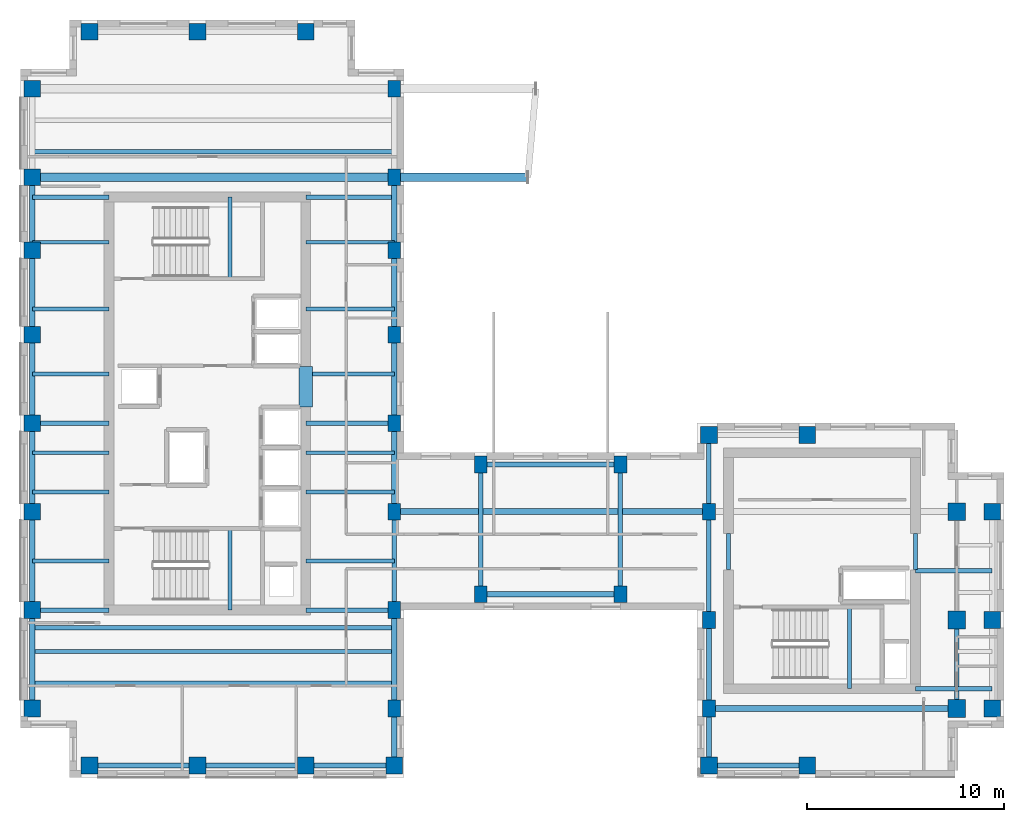
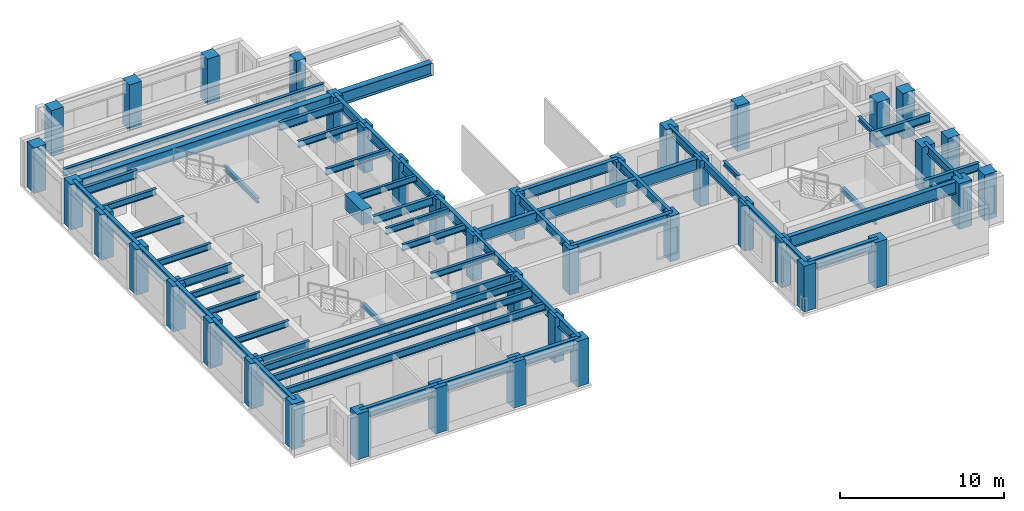
# One storey, part 1 of 11: 60 beams, 40 columns.
"""IFC4 building model written with IfcOpenShell, lengths in metres."""

from ifc_helpers import new_model, si_unit, direction, frame, origin, origin_2d, place, context, subcontext, project, spatial, rectangle, i_section, extrude, source, transform, mapped, material, material_profile, profile_set, type_object, element, save


model = new_model("IFC4")

# Units and contexts
model_context = context("Model", 3, precision=1e-05, world=origin(), true_north=direction((0.0, 1.0)))
body_context = subcontext(model_context, "Body", "Model", "MODEL_VIEW")
ifc_project = project(units=[si_unit("LENGTHUNIT", "METRE"), si_unit("AREAUNIT", "SQUARE_METRE"), si_unit("VOLUMEUNIT", "CUBIC_METRE"), si_unit("PLANEANGLEUNIT", "RADIAN"), si_unit("MASSUNIT", "GRAM", prefix="KILO")], contexts=[model_context])

# Site, building, storey
site_placement = place(None, origin())
site = spatial("IfcSite", under=ifc_project, at=site_placement, CompositionType="ELEMENT")
building_placement = place(site_placement, origin())
building = spatial("IfcBuilding", under=site, at=building_placement, Name="Kharzan Plaza Tower", CompositionType="ELEMENT")
storey_placement = place(building_placement, frame((0.0, 0.0, 234.0)))
storey = spatial("IfcBuildingStorey", under=building, at=storey_placement, Name="L63", CompositionType="ELEMENT", Elevation=234.0)

# Columns
ifc_material_1 = material(Name="Concrete C50/60", Category="concrete")
ifc_material_profile_1 = material_profile(ifc_material_1, rectangle(XDim=0.89990234375, YDim=0.89990234375, at=origin_2d()), Name="RC-IC900x900")
ifc_profile_set_1 = profile_set([ifc_material_profile_1], Name="Concrete C50/60")
column_type_1 = type_object("IfcColumnType", Name="COL-IC900", PredefinedType="COLUMN", material=ifc_profile_set_1)
shared_shape_1 = source(origin(), body_context, "Body", "SweptSolid", [
    extrude(rectangle(XDim=0.89990234375, YDim=0.89990234375, at=origin_2d()), origin(), (0.0, 0.0, 1.0), 3.39990234375),
])
for number, where, z_axis, x_axis, name in (
    (1, (47.60009765625, 13.5, 0.0), (0.0, 0.0, 1.0), (1.0, 0.0, 0.0), "L63 Structural Column TCBI-135"),
    (2, (47.60009765625, 3.5, 0.0), (0.0, 0.0, 1.0), (1.0, 0.0, 0.0), "L63 Structural Column TCBI-35"),
    (3, (47.60009765625, 8.0, 0.0), (0.0, 0.0, 1.0), (1.0, 0.0, 0.0), "L63 Structural Column TCBI-80"),
):
    element("IfcColumn", number, at=place(storey_placement, frame(where, z_axis=z_axis, x_axis=x_axis)), inside=storey, type_object=column_type_1, Name=name, PredefinedType="COLUMN", context=body_context, shape_type="MappedRepresentation", body=[
        mapped(shared_shape_1, transform((0.0, 0.0, 0.0), x_axis=(1.0, 0.0, 0.0), y_axis=(0.0, 1.0, 0.0), z_axis=(0.0, 0.0, 1.0))),
    ])
ifc_material_profile_2 = material_profile(ifc_material_1, rectangle(XDim=0.64990234375, YDim=0.85009765625, at=origin_2d()), Name="RC-SC850x650")
ifc_profile_set_2 = profile_set([ifc_material_profile_2], Name="Concrete C50/60")
column_type_2 = type_object("IfcColumnType", Name="COL-SC850", PredefinedType="COLUMN", material=ifc_profile_set_2)
shared_shape_2 = source(origin(), body_context, "Body", "SweptSolid", [
    extrude(rectangle(XDim=0.64990234375, YDim=0.85009765625, at=origin_2d()), origin(), (0.0, 0.0, 1.0), 3.39990234375),
])
for number, where, z_axis, x_axis, name in (
    (4, (19.0, 13.5, 0.0), (0.0, 0.0, 1.0), (1.0, 0.0, 0.0), "L63 Structural Column TCA-135"),
    (5, (19.0, 18.0, 0.0), (0.0, 0.0, 1.0), (1.0, 0.0, 0.0), "L63 Structural Column TCA-180"),
    (6, (19.0, 22.5, 0.0), (0.0, 0.0, 1.0), (1.0, 0.0, 0.0), "L63 Structural Column TCA-225"),
    (7, (19.0, 26.800048828125, 0.0), (0.0, 0.0, 1.0), (1.0, 0.0, 0.0), "L63 Structural Column TCA-268"),
    (8, (19.0, 30.5, 0.0), (0.0, 0.0, 1.0), (1.0, 0.0, 0.0), "L63 Structural Column TCA-305"),
    (9, (19.0, 3.5, 0.0), (0.0, 0.0, 1.0), (1.0, 0.0, 0.0), "L63 Structural Column TCA-35"),
    (10, (19.0, 35.0, 0.0), (0.0, 0.0, 1.0), (1.0, 0.0, 0.0), "L63 Structural Column TCA-350"),
    (11, (19.0, 8.5, 0.0), (0.0, 0.0, 1.0), (1.0, 0.0, 0.0), "L63 Structural Column TCA-85"),
    (12, (35.0, 13.5, 0.0), (0.0, 0.0, 1.0), (1.0, 0.0, 0.0), "L63 Structural Column TCBS-135"),
    (13, (35.0, 3.5, 0.0), (0.0, 0.0, 1.0), (1.0, 0.0, 0.0), "L63 Structural Column TCBS-35"),
    (14, (35.0, 8.0, 0.0), (0.0, 0.0, 1.0), (1.0, 0.0, 0.0), "L63 Structural Column TCBS-80"),
    (15, (23.39990234375, 15.89990234375, 0.0), (0.0, 0.0, 1.0), (1.0, 0.0, 0.0), "L63 Structural Column TCSP-234-159"),
    (16, (23.39990234375, 9.300048828125, 0.0), (0.0, 0.0, 1.0), (1.0, 0.0, 0.0), "L63 Structural Column TCSP-234-93"),
    (17, (30.5, 15.89990234375, 0.0), (0.0, 0.0, 1.0), (1.0, 0.0, 0.0), "L63 Structural Column TCSP-305-159"),
    (18, (30.5, 9.300048828125, 0.0), (0.0, 0.0, 1.0), (1.0, 0.0, 0.0), "L63 Structural Column TCSP-305-93"),
):
    element("IfcColumn", number, at=place(storey_placement, frame(where, z_axis=z_axis, x_axis=x_axis)), inside=storey, type_object=column_type_2, Name=name, PredefinedType="COLUMN", context=body_context, shape_type="MappedRepresentation", body=[
        mapped(shared_shape_2, transform((0.0, 0.0, 0.0), x_axis=(1.0, 0.0, 0.0), y_axis=(0.0, 1.0, 0.0), z_axis=(0.0, 0.0, 1.0))),
    ])
ifc_material_profile_3 = material_profile(ifc_material_1, rectangle(XDim=0.85009765625, YDim=0.85009765625, at=origin_2d()), Name="RC-TC850x850")
ifc_profile_set_3 = profile_set([ifc_material_profile_3], Name="Concrete C50/60")
column_type_3 = type_object("IfcColumnType", Name="COL-TC850", PredefinedType="COLUMN", material=ifc_profile_set_3)
shared_shape_3 = source(origin(), body_context, "Body", "SweptSolid", [
    extrude(rectangle(XDim=0.85009765625, YDim=0.85009765625, at=origin_2d()), origin(), (0.0, 0.0, 1.0), 3.39990234375),
])
for number, where, z_axis, x_axis, name in (
    (19, (35.0, 17.39990234375, 0.0), (0.0, 0.0, 1.0), (1.0, 0.0, 0.0), "L63 Structural Column TCBN-350-174"),
    (20, (40.0, 17.39990234375, 0.0), (0.0, 0.0, 1.0), (1.0, 0.0, 0.0), "L63 Structural Column TCBN-400-174"),
    (21, (49.39990234375, 13.5, 0.0), (0.0, 0.0, 1.0), (1.0, 0.0, 0.0), "L63 Structural Column TCE-494-135"),
    (22, (49.39990234375, 3.5, 0.0), (0.0, 0.0, 1.0), (1.0, 0.0, 0.0), "L63 Structural Column TCE-494-35"),
    (23, (49.39990234375, 8.0, 0.0), (0.0, 0.0, 1.0), (1.0, 0.0, 0.0), "L63 Structural Column TCE-494-80"),
    (24, (14.5, 37.89990234375, 0.0), (0.0, 0.0, 1.0), (1.0, 0.0, 0.0), "L63 Structural Column TCN-145-379"),
    (25, (3.5, 37.89990234375, 0.0), (0.0, 0.0, 1.0), (1.0, 0.0, 0.0), "L63 Structural Column TCN-35-379"),
    (26, (9.0, 37.89990234375, 0.0), (0.0, 0.0, 1.0), (1.0, 0.0, 0.0), "L63 Structural Column TCN-90-379"),
    (27, (14.5, 0.60009765625, 0.0), (0.0, 0.0, 1.0), (1.0, 0.0, 0.0), "L63 Structural Column TCS-145"),
    (28, (19.0, 0.60009765625, 0.0), (0.0, 0.0, 1.0), (1.0, 0.0, 0.0), "L63 Structural Column TCS-190"),
    (29, (3.5, 0.60009765625, 0.0), (0.0, 0.0, 1.0), (1.0, 0.0, 0.0), "L63 Structural Column TCS-35"),
    (30, (35.0, 0.60009765625, 0.0), (0.0, 0.0, 1.0), (1.0, 0.0, 0.0), "L63 Structural Column TCS-350"),
    (31, (40.0, 0.60009765625, 0.0), (0.0, 0.0, 1.0), (1.0, 0.0, 0.0), "L63 Structural Column TCS-400"),
    (32, (9.0, 0.60009765625, 0.0), (0.0, 0.0, 1.0), (1.0, 0.0, 0.0), "L63 Structural Column TCS-90"),
    (33, (0.60009765625, 13.5, 0.0), (0.0, 0.0, 1.0), (1.0, 0.0, 0.0), "L63 Structural Column TCW-135"),
    (34, (0.60009765625, 18.0, 0.0), (0.0, 0.0, 1.0), (1.0, 0.0, 0.0), "L63 Structural Column TCW-180"),
    (35, (0.60009765625, 22.5, 0.0), (0.0, 0.0, 1.0), (1.0, 0.0, 0.0), "L63 Structural Column TCW-225"),
    (36, (0.60009765625, 26.800048828125, 0.0), (0.0, 0.0, 1.0), (1.0, 0.0, 0.0), "L63 Structural Column TCW-268"),
    (37, (0.60009765625, 30.5, 0.0), (0.0, 0.0, 1.0), (1.0, 0.0, 0.0), "L63 Structural Column TCW-305"),
    (38, (0.60009765625, 3.5, 0.0), (0.0, 0.0, 1.0), (1.0, 0.0, 0.0), "L63 Structural Column TCW-35"),
    (39, (0.60009765625, 35.0, 0.0), (0.0, 0.0, 1.0), (1.0, 0.0, 0.0), "L63 Structural Column TCW-350"),
    (40, (0.60009765625, 8.5, 0.0), (0.0, 0.0, 1.0), (1.0, 0.0, 0.0), "L63 Structural Column TCW-85"),
):
    element("IfcColumn", number, at=place(storey_placement, frame(where, z_axis=z_axis, x_axis=x_axis)), inside=storey, type_object=column_type_3, Name=name, PredefinedType="COLUMN", context=body_context, shape_type="MappedRepresentation", body=[
        mapped(shared_shape_3, transform((0.0, 0.0, 0.0), x_axis=(1.0, 0.0, 0.0), y_axis=(0.0, 1.0, 0.0), z_axis=(0.0, 0.0, 1.0))),
    ])

# Beams
ifc_material_2 = material(Name="Concrete C60/75", Category="concrete")
ifc_material_profile_4 = material_profile(ifc_material_2, rectangle(XDim=0.699951171875, YDim=1.10009765625, at=origin_2d()), Name="RC-CB1100x700")
ifc_profile_set_4 = profile_set([ifc_material_profile_4], Name="Concrete C60/75")
beam_type_1 = type_object("IfcBeamType", Name="BM-RCCB1100", PredefinedType="LINTEL", material=ifc_profile_set_4)
shared_shape_4 = source(origin(), body_context, "Body", "SweptSolid", [
    extrude(rectangle(XDim=0.699951171875, YDim=1.10009765625, at=origin_2d()), origin(), (0.0, 0.0, 1.0), 2.059814453125),
])
beam_1_placement = place(storey_placement, frame((14.5, 18.820068359375, 2.85009765625), z_axis=(0.0, 1.0, 0.0), x_axis=(-1.0, 0.0, 0.0)))
element("IfcBeam", 41, at=beam_1_placement, inside=storey, type_object=beam_type_1, Name="L63 CORE-A RC coupling beam CB1", PredefinedType="LINTEL", context=body_context, shape_type="MappedRepresentation", body=[
    mapped(shared_shape_4, transform((0.0, 0.0, 0.0), x_axis=(1.0, 0.0, 0.0), y_axis=(0.0, 1.0, 0.0), z_axis=(0.0, 0.0, 1.0))),
])
ifc_material_3 = material(Name="Steel S355", Category="steel")
ifc_material_profile_5 = material_profile(ifc_material_3, i_section(OverallWidth=0.205078125, OverallDepth=0.35400390625, WebThickness=0.009521484375, FlangeThickness=0.016845703125, at=origin_2d()), Name="W360x79")
ifc_profile_set_5 = profile_set([ifc_material_profile_5], Name="Steel S355")
beam_type_2 = type_object("IfcBeamType", Name="BM-LNT360", PredefinedType="LINTEL", material=ifc_profile_set_5)
shared_shape_5 = source(origin(), body_context, "Body", "SweptSolid", [
    extrude(i_section(OverallWidth=0.205078125, OverallDepth=0.35400390625, WebThickness=0.009521484375, FlangeThickness=0.016845703125, at=origin_2d()), origin(), (0.0, 0.0, 1.0), 1.849853515625),
])
for number, where, z_axis, x_axis, name in (
    (42, (45.5, 10.550048828125, 3.222900390625), (0.0, 1.0, 0.0), (-1.0, 0.0, 0.0), "L63 CORE-B coupling lintel LN1-WE"),
    (43, (36.0, 10.550048828125, 3.222900390625), (0.0, 1.0, 0.0), (-1.0, 0.0, 0.0), "L63 CORE-B coupling lintel LN1-WW"),
):
    element("IfcBeam", number, at=place(storey_placement, frame(where, z_axis=z_axis, x_axis=x_axis)), inside=storey, type_object=beam_type_2, Name=name, PredefinedType="LINTEL", context=body_context, shape_type="MappedRepresentation", body=[
        mapped(shared_shape_5, transform((0.0, 0.0, 0.0), x_axis=(1.0, 0.0, 0.0), y_axis=(0.0, 1.0, 0.0), z_axis=(0.0, 0.0, 1.0))),
    ])
shared_shape_6 = source(origin(), body_context, "Body", "SweptSolid", [
    extrude(i_section(OverallWidth=0.205078125, OverallDepth=0.35400390625, WebThickness=0.009521484375, FlangeThickness=0.016845703125, at=origin_2d()), origin(), (0.0, 0.0, 1.0), 4.155029296875),
])
for number, where, z_axis, x_axis, name in (
    (44, (10.64990234375, 8.5, 1.423095703125), (0.0, 1.0, 0.0), (-1.0, 0.0, 0.0), "L63 Stair ST-1 Half-Landing Beam"),
    (45, (10.64990234375, 25.344970703125, 1.423095703125), (0.0, 1.0, 0.0), (-1.0, 0.0, 0.0), "L63 Stair ST-2 Half-Landing Beam"),
    (46, (42.14990234375, 4.5, 1.423095703125), (0.0, 1.0, 0.0), (-1.0, 0.0, 0.0), "L63 Stair ST-3 Half-Landing Beam"),
):
    element("IfcBeam", number, at=place(storey_placement, frame(where, z_axis=z_axis, x_axis=x_axis)), inside=storey, type_object=beam_type_2, Name=name, PredefinedType="LINTEL", context=body_context, shape_type="MappedRepresentation", body=[
        mapped(shared_shape_6, transform((0.0, 0.0, 0.0), x_axis=(1.0, 0.0, 0.0), y_axis=(0.0, 1.0, 0.0), z_axis=(0.0, 0.0, 1.0))),
    ])
ifc_material_profile_6 = material_profile(ifc_material_3, i_section(OverallWidth=0.304931640625, OverallDepth=0.9189453125, WebThickness=0.017333984375, FlangeThickness=0.02783203125, at=origin_2d()), Name="W920x253")
ifc_profile_set_6 = profile_set([ifc_material_profile_6], Name="Steel S355")
beam_type_3 = type_object("IfcBeamType", Name="BM-FG920B", PredefinedType="BEAM", material=ifc_profile_set_6)
shared_shape_7 = source(origin(), body_context, "Body", "SweptSolid", [
    extrude(i_section(OverallWidth=0.304931640625, OverallDepth=0.9189453125, WebThickness=0.017333984375, FlangeThickness=0.02783203125, at=origin_2d()), origin(), (0.0, 0.0, 1.0), 12.60009765625),
])
beam_2_placement = place(storey_placement, frame((35.0, 3.5, 2.9404296875), z_axis=(1.0, 0.0, 0.0), x_axis=(0.0, 1.0, 0.0)))
element("IfcBeam", 47, at=beam_2_placement, inside=storey, type_object=beam_type_3, Name="L63 Primary Floor Girder", PredefinedType="BEAM", context=body_context, shape_type="MappedRepresentation", body=[
    mapped(shared_shape_7, transform((0.0, 0.0, 0.0), x_axis=(1.0, 0.0, 0.0), y_axis=(0.0, 1.0, 0.0), z_axis=(0.0, 0.0, 1.0))),
])
shared_shape_8 = source(origin(), body_context, "Body", "SweptSolid", [
    extrude(i_section(OverallWidth=0.304931640625, OverallDepth=0.9189453125, WebThickness=0.017333984375, FlangeThickness=0.02783203125, at=origin_2d()), origin(), (0.0, 0.0, 1.0), 16.0),
])
beam_3_placement = place(storey_placement, frame((19.0, 13.5, 2.9404296875), z_axis=(1.0, 0.0, 0.0), x_axis=(0.0, 1.0, 0.0)))
element("IfcBeam", 48, at=beam_3_placement, inside=storey, type_object=beam_type_3, Name="L63 Primary Floor Girder", PredefinedType="BEAM", context=body_context, shape_type="MappedRepresentation", body=[
    mapped(shared_shape_8, transform((0.0, 0.0, 0.0), x_axis=(1.0, 0.0, 0.0), y_axis=(0.0, 1.0, 0.0), z_axis=(0.0, 0.0, 1.0))),
])
ifc_material_profile_7 = material_profile(ifc_material_3, i_section(OverallWidth=0.2099609375, OverallDepth=0.537109375, WebThickness=0.010986328125, FlangeThickness=0.017333984375, at=origin_2d()), Name="W530x101")
ifc_profile_set_7 = profile_set([ifc_material_profile_7], Name="Steel S355")
beam_type_4 = type_object("IfcBeamType", Name="BM-JST530B", PredefinedType="JOIST", material=ifc_profile_set_7)
shared_shape_9 = source(origin(), body_context, "Body", "SweptSolid", [
    extrude(i_section(OverallWidth=0.2099609375, OverallDepth=0.537109375, WebThickness=0.010986328125, FlangeThickness=0.017333984375, at=origin_2d()), origin(), (0.0, 0.0, 1.0), 18.39990234375),
])
for number, where, z_axis, x_axis, name in (
    (49, (0.60009765625, 4.800048828125, 3.131591796875), (1.0, 0.0, 0.0), (0.0, 1.0, 0.0), "L63 Wing A Composite Joist 01"),
    (50, (0.60009765625, 6.39990234375, 3.131591796875), (1.0, 0.0, 0.0), (0.0, 1.0, 0.0), "L63 Wing A Composite Joist 02"),
    (51, (0.60009765625, 7.60009765625, 3.131591796875), (1.0, 0.0, 0.0), (0.0, 1.0, 0.0), "L63 Wing A Composite Joist 03"),
    (52, (0.60009765625, 31.800048828125, 3.131591796875), (1.0, 0.0, 0.0), (0.0, 1.0, 0.0), "L63 Wing A Composite Joist 04"),
):
    element("IfcBeam", number, at=place(storey_placement, frame(where, z_axis=z_axis, x_axis=x_axis)), inside=storey, type_object=beam_type_4, Name=name, PredefinedType="JOIST", context=body_context, shape_type="MappedRepresentation", body=[
        mapped(shared_shape_9, transform((0.0, 0.0, 0.0), x_axis=(1.0, 0.0, 0.0), y_axis=(0.0, 1.0, 0.0), z_axis=(0.0, 0.0, 1.0))),
    ])
ifc_material_profile_8 = material_profile(ifc_material_3, i_section(OverallWidth=0.194091796875, OverallDepth=0.468994140625, WebThickness=0.011474609375, FlangeThickness=0.0205078125, at=origin_2d()), Name="W460x106")
ifc_profile_set_8 = profile_set([ifc_material_profile_8], Name="Steel S355")
beam_type_5 = type_object("IfcBeamType", Name="BM-JST460", PredefinedType="JOIST", material=ifc_profile_set_8)
shared_shape_10 = source(origin(), body_context, "Body", "SweptSolid", [
    extrude(i_section(OverallWidth=0.194091796875, OverallDepth=0.468994140625, WebThickness=0.011474609375, FlangeThickness=0.0205078125, at=origin_2d()), origin(), (0.0, 0.0, 1.0), 4.5),
])
for number, where, z_axis, x_axis, name in (
    (53, (14.5, 11.0, 3.16552734375), (1.0, 0.0, 0.0), (0.0, 1.0, 0.0), "L63 Wing A East Infill Joist 1"),
    (54, (14.5, 14.5, 3.16552734375), (1.0, 0.0, 0.0), (0.0, 1.0, 0.0), "L63 Wing A East Infill Joist 2"),
    (55, (14.5, 16.5, 3.16552734375), (1.0, 0.0, 0.0), (0.0, 1.0, 0.0), "L63 Wing A East Infill Joist 3"),
    (56, (14.5, 20.5, 3.16552734375), (1.0, 0.0, 0.0), (0.0, 1.0, 0.0), "L63 Wing A East Infill Joist 4"),
    (57, (14.5, 23.800048828125, 3.16552734375), (1.0, 0.0, 0.0), (0.0, 1.0, 0.0), "L63 Wing A East Infill Joist 5"),
    (58, (14.5, 27.199951171875, 3.16552734375), (1.0, 0.0, 0.0), (0.0, 1.0, 0.0), "L63 Wing A East Infill Joist 6"),
):
    element("IfcBeam", number, at=place(storey_placement, frame(where, z_axis=z_axis, x_axis=x_axis)), inside=storey, type_object=beam_type_5, Name=name, PredefinedType="JOIST", context=body_context, shape_type="MappedRepresentation", body=[
        mapped(shared_shape_10, transform((0.0, 0.0, 0.0), x_axis=(1.0, 0.0, 0.0), y_axis=(0.0, 1.0, 0.0), z_axis=(0.0, 0.0, 1.0))),
    ])
shared_shape_11 = source(origin(), body_context, "Body", "SweptSolid", [
    extrude(i_section(OverallWidth=0.194091796875, OverallDepth=0.468994140625, WebThickness=0.011474609375, FlangeThickness=0.0205078125, at=origin_2d()), origin(), (0.0, 0.0, 1.0), 3.89990234375),
])
for number, where, z_axis, x_axis, name in (
    (59, (0.60009765625, 11.0, 3.16552734375), (1.0, 0.0, 0.0), (0.0, 1.0, 0.0), "L63 Wing A West Infill Joist 1"),
    (60, (0.60009765625, 14.5, 3.16552734375), (1.0, 0.0, 0.0), (0.0, 1.0, 0.0), "L63 Wing A West Infill Joist 2"),
    (61, (0.60009765625, 16.5, 3.16552734375), (1.0, 0.0, 0.0), (0.0, 1.0, 0.0), "L63 Wing A West Infill Joist 3"),
    (62, (0.60009765625, 20.5, 3.16552734375), (1.0, 0.0, 0.0), (0.0, 1.0, 0.0), "L63 Wing A West Infill Joist 4"),
    (63, (0.60009765625, 23.800048828125, 3.16552734375), (1.0, 0.0, 0.0), (0.0, 1.0, 0.0), "L63 Wing A West Infill Joist 5"),
    (64, (0.60009765625, 27.199951171875, 3.16552734375), (1.0, 0.0, 0.0), (0.0, 1.0, 0.0), "L63 Wing A West Infill Joist 6"),
):
    element("IfcBeam", number, at=place(storey_placement, frame(where, z_axis=z_axis, x_axis=x_axis)), inside=storey, type_object=beam_type_5, Name=name, PredefinedType="JOIST", context=body_context, shape_type="MappedRepresentation", body=[
        mapped(shared_shape_11, transform((0.0, 0.0, 0.0), x_axis=(1.0, 0.0, 0.0), y_axis=(0.0, 1.0, 0.0), z_axis=(0.0, 0.0, 1.0))),
    ])
ifc_material_profile_9 = material_profile(ifc_material_3, i_section(OverallWidth=0.41796875, OverallDepth=0.93701171875, WebThickness=0.019287109375, FlangeThickness=0.031982421875, at=origin_2d()), Name="W920x342")
ifc_profile_set_9 = profile_set([ifc_material_profile_9], Name="Steel S355")
beam_type_6 = type_object("IfcBeamType", Name="BM-ZTB920", PredefinedType="BEAM", material=ifc_profile_set_9)
shared_shape_12 = source(origin(), body_context, "Body", "SweptSolid", [
    extrude(i_section(OverallWidth=0.41796875, OverallDepth=0.93701171875, WebThickness=0.019287109375, FlangeThickness=0.031982421875, at=origin_2d()), origin(), (0.0, 0.0, 1.0), 18.39990234375),
])
beam_4_placement = place(storey_placement, frame((0.60009765625, 30.5, 2.931396484375), z_axis=(1.0, 0.0, 0.0), x_axis=(0.0, 1.0, 0.0)))
element("IfcBeam", 65, at=beam_4_placement, inside=storey, type_object=beam_type_6, Name="L63 Sky-Terrace Back-Span Girder ZTB1 (L64 G1)", PredefinedType="BEAM", context=body_context, shape_type="MappedRepresentation", body=[
    mapped(shared_shape_12, transform((0.0, 0.0, 0.0), x_axis=(1.0, 0.0, 0.0), y_axis=(0.0, 1.0, 0.0), z_axis=(0.0, 0.0, 1.0))),
])
ifc_material_profile_10 = material_profile(ifc_material_3, i_section(OverallWidth=0.41796875, OverallDepth=0.93701171875, WebThickness=0.019287109375, FlangeThickness=0.031982421875, at=origin_2d()), Name="W920x342")
ifc_profile_set_10 = profile_set([ifc_material_profile_10], Name="Steel S355")
beam_type_7 = type_object("IfcBeamType", Name="BM-ZTG920", PredefinedType="BEAM", material=ifc_profile_set_10)
shared_shape_13 = source(origin(), body_context, "Body", "SweptSolid", [
    extrude(i_section(OverallWidth=0.41796875, OverallDepth=0.93701171875, WebThickness=0.019287109375, FlangeThickness=0.031982421875, at=origin_2d()), origin(), (0.0, 0.0, 1.0), 6.7900390625),
])
beam_5_placement = place(storey_placement, frame((19.0, 30.5, 2.91650390625), z_axis=(1.0, 0.0, 0.0), x_axis=(0.0, 1.0, 0.0)))
element("IfcBeam", 66, at=beam_5_placement, inside=storey, type_object=beam_type_7, Name="L63 Sky-Terrace Cantilever Girder ZTG1 (L64 G1)", PredefinedType="BEAM", context=body_context, shape_type="MappedRepresentation", body=[
    mapped(shared_shape_13, transform((0.0, 0.0, 0.0), x_axis=(1.0, 0.0, 0.0), y_axis=(0.0, 1.0, 0.0), z_axis=(0.0, 0.0, 1.0))),
])
ifc_material_profile_11 = material_profile(ifc_material_3, i_section(OverallWidth=0.22900390625, OverallDepth=0.612060546875, WebThickness=0.011962890625, FlangeThickness=0.01953125, at=origin_2d()), Name="W610x125")
ifc_profile_set_11 = profile_set([ifc_material_profile_11], Name="Steel S355")
beam_type_8 = type_object("IfcBeamType", Name="BM-FG610B", PredefinedType="BEAM", material=ifc_profile_set_11)
shared_shape_14 = source(origin(), body_context, "Body", "SweptSolid", [
    extrude(i_section(OverallWidth=0.22900390625, OverallDepth=0.612060546875, WebThickness=0.011962890625, FlangeThickness=0.01953125, at=origin_2d()), origin(), (0.0, 0.0, 1.0), 4.5),
])
for number, where, z_axis, x_axis, name in (
    (67, (14.5, 8.5, 3.093994140625), (1.0, 0.0, 0.0), (0.0, 1.0, 0.0), "L63 Core-A East Floor Girder 1"),
    (68, (14.5, 18.0, 3.093994140625), (1.0, 0.0, 0.0), (0.0, 1.0, 0.0), "L63 Core-A East Floor Girder 2"),
    (69, (14.5, 29.5, 3.093994140625), (1.0, 0.0, 0.0), (0.0, 1.0, 0.0), "L63 Core-A East Floor Girder 3"),
    (70, (47.60009765625, 3.5, 3.093994140625), (0.0, 1.0, 0.0), (-1.0, 0.0, 0.0), "L63 Interior Frame Girder"),
):
    element("IfcBeam", number, at=place(storey_placement, frame(where, z_axis=z_axis, x_axis=x_axis)), inside=storey, type_object=beam_type_8, Name=name, PredefinedType="BEAM", context=body_context, shape_type="MappedRepresentation", body=[
        mapped(shared_shape_14, transform((0.0, 0.0, 0.0), x_axis=(1.0, 0.0, 0.0), y_axis=(0.0, 1.0, 0.0), z_axis=(0.0, 0.0, 1.0))),
    ])
shared_shape_15 = source(origin(), body_context, "Body", "SweptSolid", [
    extrude(i_section(OverallWidth=0.22900390625, OverallDepth=0.612060546875, WebThickness=0.011962890625, FlangeThickness=0.01953125, at=origin_2d()), origin(), (0.0, 0.0, 1.0), 3.89990234375),
])
for number, where, z_axis, x_axis, name in (
    (71, (0.60009765625, 8.5, 3.093994140625), (1.0, 0.0, 0.0), (0.0, 1.0, 0.0), "L63 Core-A West Floor Girder 1"),
    (72, (0.60009765625, 18.0, 3.093994140625), (1.0, 0.0, 0.0), (0.0, 1.0, 0.0), "L63 Core-A West Floor Girder 2"),
    (73, (0.60009765625, 29.5, 3.093994140625), (1.0, 0.0, 0.0), (0.0, 1.0, 0.0), "L63 Core-A West Floor Girder 3"),
    (74, (45.5, 4.5, 3.093994140625), (1.0, 0.0, 0.0), (0.0, 1.0, 0.0), "L63 Core-B East Floor Girder 1"),
    (75, (45.5, 10.5, 3.093994140625), (1.0, 0.0, 0.0), (0.0, 1.0, 0.0), "L63 Core-B East Floor Girder 2"),
    (76, (35.0, 13.5, 3.093994140625), (0.0, 1.0, 0.0), (-1.0, 0.0, 0.0), "L63 Interior Frame Girder"),
):
    element("IfcBeam", number, at=place(storey_placement, frame(where, z_axis=z_axis, x_axis=x_axis)), inside=storey, type_object=beam_type_8, Name=name, PredefinedType="BEAM", context=body_context, shape_type="MappedRepresentation", body=[
        mapped(shared_shape_15, transform((0.0, 0.0, 0.0), x_axis=(1.0, 0.0, 0.0), y_axis=(0.0, 1.0, 0.0), z_axis=(0.0, 0.0, 1.0))),
    ])
shared_shape_16 = source(origin(), body_context, "Body", "SweptSolid", [
    extrude(i_section(OverallWidth=0.22900390625, OverallDepth=0.612060546875, WebThickness=0.011962890625, FlangeThickness=0.01953125, at=origin_2d()), origin(), (0.0, 0.0, 1.0), 5.0),
])
beam_6_placement = place(storey_placement, frame((19.0, 8.5, 3.093994140625), z_axis=(0.0, 1.0, 0.0), x_axis=(-1.0, 0.0, 0.0)))
element("IfcBeam", 77, at=beam_6_placement, inside=storey, type_object=beam_type_8, Name="L63 Interior Frame Girder", PredefinedType="BEAM", context=body_context, shape_type="MappedRepresentation", body=[
    mapped(shared_shape_16, transform((0.0, 0.0, 0.0), x_axis=(1.0, 0.0, 0.0), y_axis=(0.0, 1.0, 0.0), z_axis=(0.0, 0.0, 1.0))),
])
shared_shape_17 = source(origin(), body_context, "Body", "SweptSolid", [
    extrude(i_section(OverallWidth=0.22900390625, OverallDepth=0.612060546875, WebThickness=0.011962890625, FlangeThickness=0.01953125, at=origin_2d()), origin(), (0.0, 0.0, 1.0), 6.599853515625),
])
for number, where, z_axis, x_axis, name in (
    (78, (23.39990234375, 9.300048828125, 3.093994140625), (0.0, 1.0, 0.0), (-1.0, 0.0, 0.0), "L63 Interior Frame Girder"),
    (79, (30.5, 9.300048828125, 3.093994140625), (0.0, 1.0, 0.0), (-1.0, 0.0, 0.0), "L63 Interior Frame Girder"),
):
    element("IfcBeam", number, at=place(storey_placement, frame(where, z_axis=z_axis, x_axis=x_axis)), inside=storey, type_object=beam_type_8, Name=name, PredefinedType="BEAM", context=body_context, shape_type="MappedRepresentation", body=[
        mapped(shared_shape_17, transform((0.0, 0.0, 0.0), x_axis=(1.0, 0.0, 0.0), y_axis=(0.0, 1.0, 0.0), z_axis=(0.0, 0.0, 1.0))),
    ])
shared_shape_18 = source(origin(), body_context, "Body", "SweptSolid", [
    extrude(i_section(OverallWidth=0.22900390625, OverallDepth=0.612060546875, WebThickness=0.011962890625, FlangeThickness=0.01953125, at=origin_2d()), origin(), (0.0, 0.0, 1.0), 5.5),
])
beam_7_placement = place(storey_placement, frame((35.0, 8.0, 3.093994140625), z_axis=(0.0, 1.0, 0.0), x_axis=(-1.0, 0.0, 0.0)))
element("IfcBeam", 80, at=beam_7_placement, inside=storey, type_object=beam_type_8, Name="L63 Interior Frame Girder", PredefinedType="BEAM", context=body_context, shape_type="MappedRepresentation", body=[
    mapped(shared_shape_18, transform((0.0, 0.0, 0.0), x_axis=(1.0, 0.0, 0.0), y_axis=(0.0, 1.0, 0.0), z_axis=(0.0, 0.0, 1.0))),
])
ifc_material_profile_12 = material_profile(ifc_material_3, i_section(OverallWidth=0.26708984375, OverallDepth=0.76611328125, WebThickness=0.014892578125, FlangeThickness=0.023681640625, at=origin_2d()), Name="W760x185")
ifc_profile_set_12 = profile_set([ifc_material_profile_12], Name="Steel S355")
beam_type_9 = type_object("IfcBeamType", Name="BM-SP760B", PredefinedType="SPANDREL", material=ifc_profile_set_12)
shared_shape_19 = source(origin(), body_context, "Body", "SweptSolid", [
    extrude(i_section(OverallWidth=0.26708984375, OverallDepth=0.76611328125, WebThickness=0.014892578125, FlangeThickness=0.023681640625, at=origin_2d()), origin(), (0.0, 0.0, 1.0), 5.0),
])
for number, where, z_axis, x_axis, name in (
    (81, (0.60009765625, 3.5, 3.01708984375), (0.0, 1.0, 0.0), (-1.0, 0.0, 0.0), "L63 Perimeter Tube Spandrel"),
    (82, (0.60009765625, 8.5, 3.01708984375), (0.0, 1.0, 0.0), (-1.0, 0.0, 0.0), "L63 Perimeter Tube Spandrel"),
    (83, (19.0, 3.5, 3.01708984375), (0.0, 1.0, 0.0), (-1.0, 0.0, 0.0), "L63 Perimeter Tube Spandrel"),
    (84, (35.0, 0.60009765625, 3.01708984375), (1.0, 0.0, 0.0), (0.0, 1.0, 0.0), "L63 Perimeter Tube Spandrel"),
):
    element("IfcBeam", number, at=place(storey_placement, frame(where, z_axis=z_axis, x_axis=x_axis)), inside=storey, type_object=beam_type_9, Name=name, PredefinedType="SPANDREL", context=body_context, shape_type="MappedRepresentation", body=[
        mapped(shared_shape_19, transform((0.0, 0.0, 0.0), x_axis=(1.0, 0.0, 0.0), y_axis=(0.0, 1.0, 0.0), z_axis=(0.0, 0.0, 1.0))),
    ])
shared_shape_20 = source(origin(), body_context, "Body", "SweptSolid", [
    extrude(i_section(OverallWidth=0.26708984375, OverallDepth=0.76611328125, WebThickness=0.014892578125, FlangeThickness=0.023681640625, at=origin_2d()), origin(), (0.0, 0.0, 1.0), 4.5),
])
for number, where, z_axis, x_axis, name in (
    (85, (0.60009765625, 13.5, 3.01708984375), (0.0, 1.0, 0.0), (-1.0, 0.0, 0.0), "L63 Perimeter Tube Spandrel"),
    (86, (0.60009765625, 18.0, 3.01708984375), (0.0, 1.0, 0.0), (-1.0, 0.0, 0.0), "L63 Perimeter Tube Spandrel"),
    (87, (19.0, 13.5, 3.01708984375), (0.0, 1.0, 0.0), (-1.0, 0.0, 0.0), "L63 Perimeter Tube Spandrel"),
    (88, (19.0, 18.0, 3.01708984375), (0.0, 1.0, 0.0), (-1.0, 0.0, 0.0), "L63 Perimeter Tube Spandrel"),
    (89, (35.0, 3.5, 3.01708984375), (0.0, 1.0, 0.0), (-1.0, 0.0, 0.0), "L63 Perimeter Tube Spandrel"),
    (90, (14.5, 0.60009765625, 3.01708984375), (1.0, 0.0, 0.0), (0.0, 1.0, 0.0), "L63 Perimeter Tube Spandrel"),
):
    element("IfcBeam", number, at=place(storey_placement, frame(where, z_axis=z_axis, x_axis=x_axis)), inside=storey, type_object=beam_type_9, Name=name, PredefinedType="SPANDREL", context=body_context, shape_type="MappedRepresentation", body=[
        mapped(shared_shape_20, transform((0.0, 0.0, 0.0), x_axis=(1.0, 0.0, 0.0), y_axis=(0.0, 1.0, 0.0), z_axis=(0.0, 0.0, 1.0))),
    ])
shared_shape_21 = source(origin(), body_context, "Body", "SweptSolid", [
    extrude(i_section(OverallWidth=0.26708984375, OverallDepth=0.76611328125, WebThickness=0.014892578125, FlangeThickness=0.023681640625, at=origin_2d()), origin(), (0.0, 0.0, 1.0), 4.300048828125),
])
for number, where, z_axis, x_axis, name in (
    (91, (0.60009765625, 22.5, 3.01708984375), (0.0, 1.0, 0.0), (-1.0, 0.0, 0.0), "L63 Perimeter Tube Spandrel"),
    (92, (19.0, 22.5, 3.01708984375), (0.0, 1.0, 0.0), (-1.0, 0.0, 0.0), "L63 Perimeter Tube Spandrel"),
):
    element("IfcBeam", number, at=place(storey_placement, frame(where, z_axis=z_axis, x_axis=x_axis)), inside=storey, type_object=beam_type_9, Name=name, PredefinedType="SPANDREL", context=body_context, shape_type="MappedRepresentation", body=[
        mapped(shared_shape_21, transform((0.0, 0.0, 0.0), x_axis=(1.0, 0.0, 0.0), y_axis=(0.0, 1.0, 0.0), z_axis=(0.0, 0.0, 1.0))),
    ])
shared_shape_22 = source(origin(), body_context, "Body", "SweptSolid", [
    extrude(i_section(OverallWidth=0.26708984375, OverallDepth=0.76611328125, WebThickness=0.014892578125, FlangeThickness=0.023681640625, at=origin_2d()), origin(), (0.0, 0.0, 1.0), 3.699951171875),
])
for number, where, z_axis, x_axis, name in (
    (93, (0.60009765625, 26.800048828125, 3.01708984375), (0.0, 1.0, 0.0), (-1.0, 0.0, 0.0), "L63 Perimeter Tube Spandrel"),
    (94, (19.0, 26.800048828125, 3.01708984375), (0.0, 1.0, 0.0), (-1.0, 0.0, 0.0), "L63 Perimeter Tube Spandrel"),
):
    element("IfcBeam", number, at=place(storey_placement, frame(where, z_axis=z_axis, x_axis=x_axis)), inside=storey, type_object=beam_type_9, Name=name, PredefinedType="SPANDREL", context=body_context, shape_type="MappedRepresentation", body=[
        mapped(shared_shape_22, transform((0.0, 0.0, 0.0), x_axis=(1.0, 0.0, 0.0), y_axis=(0.0, 1.0, 0.0), z_axis=(0.0, 0.0, 1.0))),
    ])
shared_shape_23 = source(origin(), body_context, "Body", "SweptSolid", [
    extrude(i_section(OverallWidth=0.26708984375, OverallDepth=0.76611328125, WebThickness=0.014892578125, FlangeThickness=0.023681640625, at=origin_2d()), origin(), (0.0, 0.0, 1.0), 2.89990234375),
])
for number, where, z_axis, x_axis, name in (
    (95, (19.0, 0.60009765625, 3.01708984375), (0.0, 1.0, 0.0), (-1.0, 0.0, 0.0), "L63 Perimeter Tube Spandrel"),
    (96, (35.0, 0.60009765625, 3.01708984375), (0.0, 1.0, 0.0), (-1.0, 0.0, 0.0), "L63 Perimeter Tube Spandrel"),
):
    element("IfcBeam", number, at=place(storey_placement, frame(where, z_axis=z_axis, x_axis=x_axis)), inside=storey, type_object=beam_type_9, Name=name, PredefinedType="SPANDREL", context=body_context, shape_type="MappedRepresentation", body=[
        mapped(shared_shape_23, transform((0.0, 0.0, 0.0), x_axis=(1.0, 0.0, 0.0), y_axis=(0.0, 1.0, 0.0), z_axis=(0.0, 0.0, 1.0))),
    ])
shared_shape_24 = source(origin(), body_context, "Body", "SweptSolid", [
    extrude(i_section(OverallWidth=0.26708984375, OverallDepth=0.76611328125, WebThickness=0.014892578125, FlangeThickness=0.023681640625, at=origin_2d()), origin(), (0.0, 0.0, 1.0), 5.5),
])
for number, where, z_axis, x_axis, name in (
    (97, (3.5, 0.60009765625, 3.01708984375), (1.0, 0.0, 0.0), (0.0, 1.0, 0.0), "L63 Perimeter Tube Spandrel"),
    (98, (9.0, 0.60009765625, 3.01708984375), (1.0, 0.0, 0.0), (0.0, 1.0, 0.0), "L63 Perimeter Tube Spandrel"),
):
    element("IfcBeam", number, at=place(storey_placement, frame(where, z_axis=z_axis, x_axis=x_axis)), inside=storey, type_object=beam_type_9, Name=name, PredefinedType="SPANDREL", context=body_context, shape_type="MappedRepresentation", body=[
        mapped(shared_shape_24, transform((0.0, 0.0, 0.0), x_axis=(1.0, 0.0, 0.0), y_axis=(0.0, 1.0, 0.0), z_axis=(0.0, 0.0, 1.0))),
    ])
shared_shape_25 = source(origin(), body_context, "Body", "SweptSolid", [
    extrude(i_section(OverallWidth=0.26708984375, OverallDepth=0.76611328125, WebThickness=0.014892578125, FlangeThickness=0.023681640625, at=origin_2d()), origin(), (0.0, 0.0, 1.0), 7.10009765625),
])
for number, where, z_axis, x_axis, name in (
    (99, (23.39990234375, 9.300048828125, 3.01708984375), (1.0, 0.0, 0.0), (0.0, 1.0, 0.0), "L63 Perimeter Tube Spandrel"),
    (100, (23.39990234375, 15.89990234375, 3.01708984375), (1.0, 0.0, 0.0), (0.0, 1.0, 0.0), "L63 Perimeter Tube Spandrel"),
):
    element("IfcBeam", number, at=place(storey_placement, frame(where, z_axis=z_axis, x_axis=x_axis)), inside=storey, type_object=beam_type_9, Name=name, PredefinedType="SPANDREL", context=body_context, shape_type="MappedRepresentation", body=[
        mapped(shared_shape_25, transform((0.0, 0.0, 0.0), x_axis=(1.0, 0.0, 0.0), y_axis=(0.0, 1.0, 0.0), z_axis=(0.0, 0.0, 1.0))),
    ])

save(model, "model.ifc")
